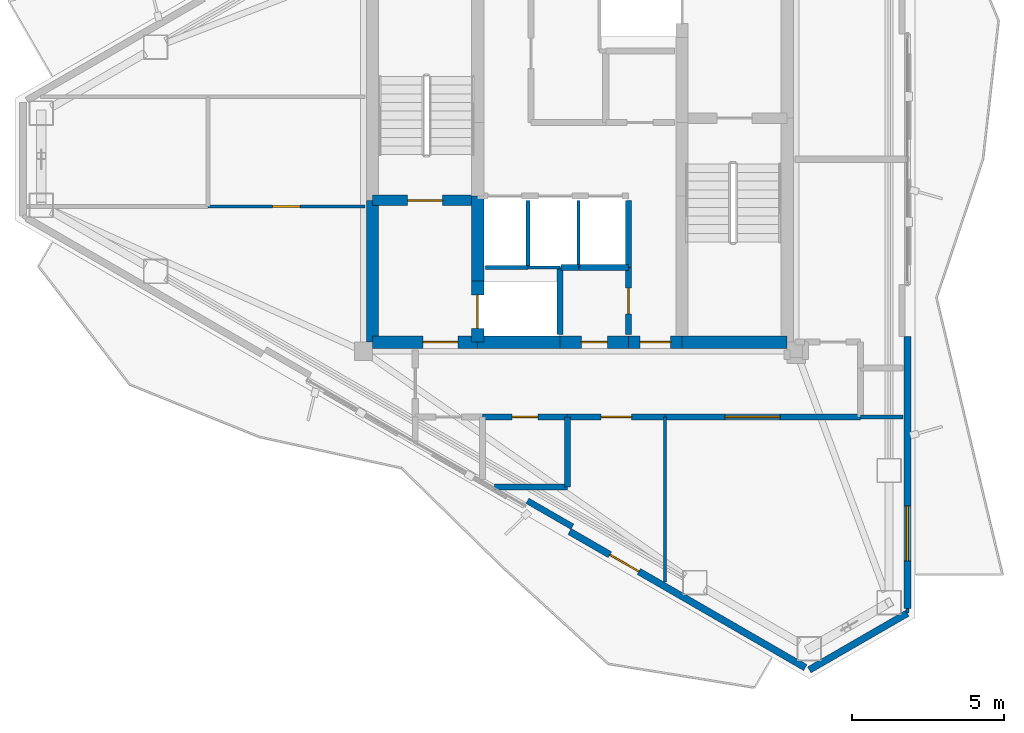
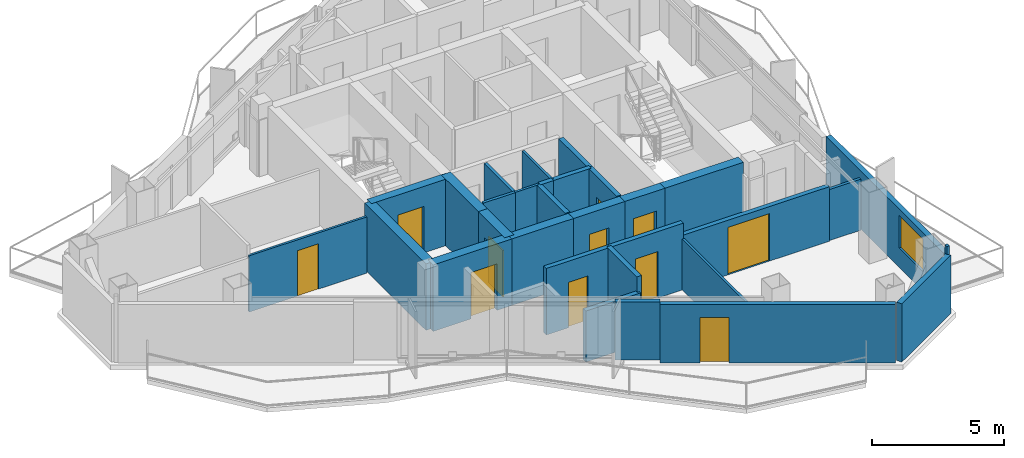
# One storey, part 14 of 18: 31 walls, 11 doors, 1 window, 12 openings.
"""IFC4 building model written with IfcOpenShell, lengths in metres."""

from ifc_helpers import new_model, si_unit, direction, frame, frame_2d, origin, place, context, subcontext, project, spatial, rectangle, extrude, material, layer, layer_set, type_object, element, fill, save


model = new_model("IFC4")

# Units and contexts
model_context = context("Model", 3, precision=1e-05, world=origin(), true_north=direction((0.0, 1.0)))
body_context = subcontext(model_context, "Body", "Model", "MODEL_VIEW")
ifc_project = project(units=[si_unit("LENGTHUNIT", "METRE"), si_unit("AREAUNIT", "SQUARE_METRE"), si_unit("VOLUMEUNIT", "CUBIC_METRE"), si_unit("PLANEANGLEUNIT", "RADIAN"), si_unit("MASSUNIT", "GRAM", prefix="KILO")], contexts=[model_context])

# Site, building, storey
site_placement = place(None, origin())
site = spatial("IfcSite", under=ifc_project, at=site_placement, CompositionType="ELEMENT")
building_placement = place(site_placement, origin())
building = spatial("IfcBuilding", under=site, at=building_placement, Name="Mersakhor Tower and Convention Hall", CompositionType="ELEMENT")
storey_placement = place(building_placement, frame((0.0, 0.0, 236.39990234375)))
storey = spatial("IfcBuildingStorey", under=building, at=storey_placement, Name="L66", CompositionType="ELEMENT", Elevation=236.39990234375)

# Wall
ifc_material_1 = material(Name="Precast concrete C40/50", Category="concrete")
ifc_layer_1 = layer(ifc_material_1, 0.22509765625)
ifc_layer_set_1 = layer_set([ifc_layer_1], Name="Precast concrete C40/50")
wall_type_1 = type_object("IfcWallType", Name="WL-EXT-225", PredefinedType="SOLIDWALL", material=ifc_layer_set_1)
wall_1_placement = place(storey_placement, frame((39.742919921875, 11.858154296875, 0.0), z_axis=(0.0, 0.0, 1.0), x_axis=(-0.866038962515, -0.499976514854, 0.0)))
element("IfcWall", 1, at=wall_1_placement, inside=storey, type_object=wall_type_1, Name="L66 Chamfer Braced Spandrel Wall C2", PredefinedType="SOLIDWALL", context=body_context, shape_type="SweptSolid", body=[
    extrude(rectangle(XDim=3.715576171875, YDim=0.22509765625, at=frame_2d((1.85791015625, 0.0))), origin(), (0.0, 0.0, 1.0), 2.7001953125),
])

# Wall, opening, window
wall_2_placement = place(storey_placement, frame((39.742919921875, 20.93603515625, 0.0), z_axis=(0.0, 0.0, 1.0), x_axis=(0.0, -1.0, 0.0)))
wall_2 = element("IfcWall", 2, at=wall_2_placement, inside=storey, type_object=wall_type_1, Name="L66 Exterior Facade Wall F2-B3", PredefinedType="SOLIDWALL", context=body_context, shape_type="SweptSolid", body=[
    extrude(rectangle(XDim=8.927734375, YDim=0.22509765625, at=frame_2d((4.4638671875, 0.0))), origin(), (0.0, 0.0, 1.0), 2.7001953125),
])
opening_1_placement = place(wall_2_placement, frame((5.56005859375, 0.0, 0.89990234375)))
opening_1 = element("IfcOpeningElement", 3, at=opening_1_placement, cuts=wall_2, Name="Opening W-03", PredefinedType="OPENING", context=body_context, shape_type="SweptSolid", body=[
    extrude(rectangle(XDim=1.800048828125, YDim=1.5, at=frame_2d((0.89990234375, 0.75))), frame((0.0, 0.12255859375, 0.0), z_axis=(0.0, -1.0, 0.0), x_axis=(1.0, 0.0, 0.0)), (0.0, 0.0, 1.0), 0.2451171875),
])
ifc_material_2 = material(Name="Dark solar low-E glazed aluminium window", Category="aluminium")
window_type = type_object("IfcWindowType", Name="WN-RES-180x150", PartitioningType="SINGLE_PANEL", PredefinedType="WINDOW", material=ifc_material_2)
window_placement = place(opening_1_placement, origin())
window = element("IfcWindow", 4, at=window_placement, inside=storey, type_object=window_type, Name="L66 Facade Punched Window F2-B3", OverallHeight=1.5, OverallWidth=1.800048828125, PartitioningType="SINGLE_PANEL", PredefinedType="WINDOW", context=body_context, shape_type="SweptSolid", body=[
    extrude(rectangle(XDim=1.800048828125, YDim=1.5, at=frame_2d((0.89990234375, 0.75))), frame((0.0, 0.030029296875, 0.0), z_axis=(0.0, -1.0, 0.0), x_axis=(1.0, 0.0, 0.0)), (0.0, 0.0, 1.0), 0.06005859375),
])
fill(opening_1, window)

# Wall, opening, door
wall_3_placement = place(storey_placement, frame((36.395263671875, 10.07568359375, 0.0), z_axis=(0.0, 0.0, 1.0), x_axis=(-0.866026655105, 0.499997832642, 0.0)))
wall_3 = element("IfcWall", 5, at=wall_3_placement, inside=storey, type_object=wall_type_1, Name="L66 Exterior Facade Wall F3-B1", PredefinedType="SOLIDWALL", context=body_context, shape_type="SweptSolid", body=[
    extrude(rectangle(XDim=8.927734375, YDim=0.22509765625, at=frame_2d((4.4638671875, 0.0))), origin(), (0.0, 0.0, 1.0), 2.7001953125),
])
opening_2_placement = place(wall_3_placement, frame((6.302001953125, 0.0, 0.0)))
opening_2 = element("IfcOpeningElement", 6, at=opening_2_placement, cuts=wall_3, Name="Opening BD-02", PredefinedType="OPENING", context=body_context, shape_type="SweptSolid", body=[
    extrude(rectangle(XDim=1.10009765625, YDim=2.10009765625, at=frame_2d((0.550048828125, 1.050048828125))), frame((0.0, 0.12255859375, 0.0), z_axis=(0.0, -1.0, 0.0), x_axis=(1.0, 0.0, 0.0)), (0.0, 0.0, 1.0), 0.2451171875),
])
ifc_material_3 = material(Name="Thermally broken dark aluminium and safety glass", Category="aluminium")
door_type_1 = type_object("IfcDoorType", Name="DR-BAL-110x210", OperationType="NOTDEFINED", PredefinedType="DOOR", material=ifc_material_3)
door_1_placement = place(opening_2_placement, origin())
door_1 = element("IfcDoor", 7, at=door_1_placement, inside=storey, type_object=door_type_1, Name="L66 Balcony Terrace Door F3-B1", OperationType="SINGLE_SWING_RIGHT", OverallHeight=2.10009765625, OverallWidth=1.10009765625, PredefinedType="DOOR", context=body_context, shape_type="SweptSolid", body=[
    extrude(rectangle(XDim=1.10009765625, YDim=2.10009765625, at=frame_2d((0.550048828125, 1.050048828125))), frame((0.0, 0.02490234375, 0.0), z_axis=(0.0, -1.0, 0.0), x_axis=(1.0, 0.0, 0.0)), (0.0, 0.0, 1.0), 0.050048828125),
])
fill(opening_2, door_1)

# Walls
ifc_material_4 = material(Name="Precast concrete C40/50", Category="concrete")
ifc_layer_2 = layer(ifc_material_4, 0.199951171875)
ifc_layer_set_2 = layer_set([ifc_layer_2], Name="Precast concrete C40/50")
wall_type_2 = type_object("IfcWallType", Name="WL-PAR-200", PredefinedType="PARAPET", material=ifc_layer_set_2)
wall_4_placement = place(storey_placement, frame((28.753662109375, 14.6953125, 0.0), z_axis=(0.0, 0.0, 1.0), x_axis=(-0.866025371046, 0.500000056704, 0.0)))
element("IfcWall", 8, at=wall_4_placement, inside=storey, type_object=wall_type_2, Name="L66 Column Pier Cladding Wall F3-C1", PredefinedType="PARAPET", context=body_context, shape_type="SweptSolid", body=[
    extrude(rectangle(XDim=1.7001953125, YDim=0.199951171875, at=frame_2d((0.85009765625, 0.0))), origin(), (0.0, 0.0, 1.0), 2.7001953125),
])
ifc_material_5 = material(Name="Lightweight gypsum partition", Category="other")
ifc_layer_3 = layer(ifc_material_5, 0.10009765625)
ifc_layer_set_3 = layer_set([ifc_layer_3], Name="Lightweight gypsum partition")
wall_type_3 = type_object("IfcWallType", Name="WL-PRT-100", PredefinedType="PARTITIONING", material=ifc_layer_set_3)
wall_5_placement = place(storey_placement, frame((27.300048828125, 23.199951171875, 0.0), z_axis=(0.0, 0.0, 1.0), x_axis=(1.0, 0.0, 0.0)))
element("IfcWall", 9, at=wall_5_placement, inside=storey, type_object=wall_type_3, Name="L66 Interior Partition Wall P-002", PredefinedType="PARTITIONING", context=body_context, shape_type="SweptSolid", body=[
    extrude(rectangle(XDim=1.050048828125, YDim=0.10009765625, at=frame_2d((0.52490234375, 0.0))), origin(), (0.0, 0.0, 1.0), 3.080078125),
])
wall_6_placement = place(storey_placement, frame((28.949951171875, 25.39990234375, 0.0), z_axis=(0.0, 0.0, 1.0), x_axis=(0.0, -1.0, 0.0)))
element("IfcWall", 10, at=wall_6_placement, inside=storey, type_object=wall_type_3, Name="L66 Interior Partition Wall P-008", PredefinedType="PARTITIONING", context=body_context, shape_type="SweptSolid", body=[
    extrude(rectangle(XDim=2.199951171875, YDim=0.10009765625, at=frame_2d((1.10009765625, 0.0))), origin(), (0.0, 0.0, 1.0), 3.080078125),
])
wall_7_placement = place(storey_placement, frame((31.800048828125, 12.88623046875, 0.0), z_axis=(0.0, 0.0, 1.0), x_axis=(0.0, 1.0, 0.0)))
element("IfcWall", 11, at=wall_7_placement, inside=storey, type_object=wall_type_3, Name="L66 Interior Partition Wall P-048", PredefinedType="PARTITIONING", context=body_context, shape_type="SweptSolid", body=[
    extrude(rectangle(XDim=5.413818359375, YDim=0.10009765625, at=frame_2d((2.70703125, 0.0))), origin(), (0.0, 0.0, 1.0), 2.364990234375),
])
wall_8_placement = place(storey_placement, frame((39.742919921875, 12.00830078125, 0.0), z_axis=(0.0, 0.0, 1.0), x_axis=(0.0, -1.0, 0.0)))
element("IfcWall", 12, at=wall_8_placement, inside=storey, type_object=wall_type_3, Name="L66 Interior Partition Wall P-050", PredefinedType="PARTITIONING", context=body_context, shape_type="SweptSolid", body=[
    extrude(rectangle(XDim=0.150390625, YDim=0.10009765625, at=frame_2d((0.0751953125, 0.0))), origin(), (0.0, 0.0, 1.0), 3.080078125),
])

# Wall, opening, door
wall_9_placement = place(storey_placement, frame((16.800048828125, 25.199951171875, 0.0), z_axis=(0.0, 0.0, 1.0), x_axis=(1.0, 0.0, 0.0)))
wall_9 = element("IfcWall", 13, at=wall_9_placement, inside=storey, type_object=wall_type_3, Name="L66 Interior Partition Wall P-052", PredefinedType="PARTITIONING", context=body_context, shape_type="SweptSolid", body=[
    extrude(rectangle(XDim=5.14990234375, YDim=0.10009765625, at=frame_2d((2.574951171875, 0.0))), origin(), (0.0, 0.0, 1.0), 2.60498046875),
])
opening_3_placement = place(wall_9_placement, frame((2.125, 0.0, 0.0)))
opening_3 = element("IfcOpeningElement", 14, at=opening_3_placement, cuts=wall_9, Name="Opening WD-01", PredefinedType="OPENING", context=body_context, shape_type="SweptSolid", body=[
    extrude(rectangle(XDim=0.89990234375, YDim=2.10009765625, at=frame_2d((0.449951171875, 1.050048828125))), frame((0.0, 0.06005859375, 0.0), z_axis=(0.0, -1.0, 0.0), x_axis=(1.0, 0.0, 0.0)), (0.0, 0.0, 1.0), 0.1201171875),
])
ifc_material_6 = material(Name="Solid-core hardwood leaf in painted steel frame", Category="steel")
door_type_2 = type_object("IfcDoorType", Name="DR-INT-WET-090x210", OperationType="NOTDEFINED", PredefinedType="DOOR", material=ifc_material_6)
door_2_placement = place(opening_3_placement, origin())
door_2 = element("IfcDoor", 15, at=door_2_placement, inside=storey, type_object=door_type_2, Name="L66 L66 West Quiet Focus Room to L66 Floor Shared Tea Pantry 3-3 Door", OperationType="SINGLE_SWING_RIGHT", OverallHeight=2.10009765625, OverallWidth=0.89990234375, PredefinedType="DOOR", context=body_context, shape_type="SweptSolid", body=[
    extrude(rectangle(XDim=0.89990234375, YDim=2.10009765625, at=frame_2d((0.449951171875, 1.050048828125))), frame((0.0, 0.02490234375, 0.0), z_axis=(0.0, -1.0, 0.0), x_axis=(1.0, 0.0, 0.0)), (0.0, 0.0, 1.0), 0.050048828125),
])
fill(opening_3, door_2)

# Walls
ifc_material_7 = material(Name="Gypsum board acoustic partition", Category="other")
ifc_layer_4 = layer(ifc_material_7, 0.125)
ifc_layer_set_4 = layer_set([ifc_layer_4], Name="Gypsum board acoustic partition")
wall_type_4 = type_object("IfcWallType", Name="WL-PRT-125", PredefinedType="PARTITIONING", material=ifc_layer_set_4)
wall_10_placement = place(storey_placement, frame((25.89990234375, 23.199951171875, 0.0), z_axis=(0.0, 0.0, 1.0), x_axis=(1.0, 0.0, 0.0)))
element("IfcWall", 16, at=wall_10_placement, inside=storey, type_object=wall_type_4, Name="L66 Interior Partition Wall P-001", PredefinedType="PARTITIONING", context=body_context, shape_type="SweptSolid", body=[
    extrude(rectangle(XDim=1.400146484375, YDim=0.125, at=frame_2d((0.7001953125, 0.0))), origin(), (0.0, 0.0, 1.0), 3.080078125),
])
wall_11_placement = place(storey_placement, frame((27.300048828125, 25.39990234375, 0.0), z_axis=(0.0, 0.0, 1.0), x_axis=(0.0, -1.0, 0.0)))
element("IfcWall", 17, at=wall_11_placement, inside=storey, type_object=wall_type_4, Name="L66 Interior Partition Wall P-007", PredefinedType="PARTITIONING", context=body_context, shape_type="SweptSolid", body=[
    extrude(rectangle(XDim=2.199951171875, YDim=0.125, at=frame_2d((1.10009765625, 0.0))), origin(), (0.0, 0.0, 1.0), 3.080078125),
])
wall_12_placement = place(storey_placement, frame((38.199951171875, 18.300048828125, 0.0), z_axis=(0.0, 0.0, 1.0), x_axis=(1.0, 0.0, 0.0)))
element("IfcWall", 18, at=wall_12_placement, inside=storey, type_object=wall_type_4, Name="L66 Interior Partition Wall P-049", PredefinedType="PARTITIONING", context=body_context, shape_type="SweptSolid", body=[
    extrude(rectangle(XDim=1.40625, YDim=0.125, at=frame_2d((0.703125, 0.0))), origin(), (0.0, 0.0, 1.0), 2.364990234375),
])
ifc_material_8 = material(Name="Acoustic concrete blockwork and gypsum board", Category="masonry")
ifc_layer_5 = layer(ifc_material_8, 0.199951171875)
ifc_layer_set_5 = layer_set([ifc_layer_5], Name="Acoustic concrete blockwork and gypsum board")
wall_type_5 = type_object("IfcWallType", Name="WL-PRT-200", PredefinedType="PARTITIONING", material=ifc_layer_set_5)
wall_13_placement = place(storey_placement, frame((28.35009765625, 23.199951171875, 0.0), z_axis=(0.0, 0.0, 1.0), x_axis=(0.0, -1.0, 0.0)))
element("IfcWall", 19, at=wall_13_placement, inside=storey, type_object=wall_type_5, Name="L66 Interior Partition Wall P-003", PredefinedType="PARTITIONING", context=body_context, shape_type="SweptSolid", body=[
    extrude(rectangle(XDim=2.199951171875, YDim=0.199951171875, at=frame_2d((1.10009765625, 0.0))), origin(), (0.0, 0.0, 1.0), 3.080078125),
])
wall_14_placement = place(storey_placement, frame((28.949951171875, 23.199951171875, 0.0), z_axis=(0.0, 0.0, 1.0), x_axis=(-1.0, 0.0, 0.0)))
element("IfcWall", 20, at=wall_14_placement, inside=storey, type_object=wall_type_5, Name="L66 Interior Partition Wall P-009", PredefinedType="PARTITIONING", context=body_context, shape_type="SweptSolid", body=[
    extrude(rectangle(XDim=0.570068359375, YDim=0.199951171875, at=frame_2d((0.28515625, 0.0))), origin(), (0.0, 0.0, 1.0), 3.080078125),
])
wall_15_placement = place(storey_placement, frame((30.60009765625, 25.39990234375, 0.0), z_axis=(0.0, 0.0, 1.0), x_axis=(0.0, -1.0, 0.0)))
element("IfcWall", 21, at=wall_15_placement, inside=storey, type_object=wall_type_5, Name="L66 Interior Partition Wall P-010", PredefinedType="PARTITIONING", context=body_context, shape_type="SweptSolid", body=[
    extrude(rectangle(XDim=2.199951171875, YDim=0.199951171875, at=frame_2d((1.10009765625, 0.0))), origin(), (0.0, 0.0, 1.0), 3.080078125),
])
wall_16_placement = place(storey_placement, frame((30.60009765625, 23.199951171875, 0.0), z_axis=(0.0, 0.0, 1.0), x_axis=(-1.0, 0.0, 0.0)))
element("IfcWall", 22, at=wall_16_placement, inside=storey, type_object=wall_type_5, Name="L66 Interior Partition Wall P-011", PredefinedType="PARTITIONING", context=body_context, shape_type="SweptSolid", body=[
    extrude(rectangle(XDim=1.650146484375, YDim=0.199951171875, at=frame_2d((0.8251953125, 0.0))), origin(), (0.0, 0.0, 1.0), 3.080078125),
])

# Wall, opening, door
wall_17_placement = place(storey_placement, frame((30.60009765625, 21.0, 0.0), z_axis=(0.0, 0.0, 1.0), x_axis=(0.0, 1.0, 0.0)))
wall_17 = element("IfcWall", 23, at=wall_17_placement, inside=storey, type_object=wall_type_5, Name="L66 Interior Partition Wall P-012", PredefinedType="PARTITIONING", context=body_context, shape_type="SweptSolid", body=[
    extrude(rectangle(XDim=2.199951171875, YDim=0.199951171875, at=frame_2d((1.10009765625, 0.0))), origin(), (0.0, 0.0, 1.0), 3.080078125),
])
opening_4_placement = place(wall_17_placement, frame((0.675048828125, 0.0, 0.0)))
opening_4 = element("IfcOpeningElement", 24, at=opening_4_placement, cuts=wall_17, Name="Opening SVD-01", PredefinedType="OPENING", context=body_context, shape_type="SweptSolid", body=[
    extrude(rectangle(XDim=0.85009765625, YDim=2.10009765625, at=frame_2d((0.425048828125, 1.050048828125))), frame((0.0, 0.10986328125, 0.0), z_axis=(0.0, -1.0, 0.0), x_axis=(1.0, 0.0, 0.0)), (0.0, 0.0, 1.0), 0.219970703125),
])
ifc_material_9 = material(Name="Fire-rated hardwood leaf and painted steel frame", Category="steel")
door_type_3 = type_object("IfcDoorType", Name="DR-INT-SVC-085x210", OperationType="NOTDEFINED", PredefinedType="DOOR", material=ifc_material_9)
door_3_placement = place(opening_4_placement, origin())
door_3 = element("IfcDoor", 25, at=door_3_placement, inside=storey, type_object=door_type_3, Name="L66 Central Passenger Lift Lobby to Electrical Switchroom Door", OperationType="SINGLE_SWING_RIGHT", OverallHeight=2.10009765625, OverallWidth=0.85009765625, PredefinedType="DOOR", context=body_context, shape_type="SweptSolid", body=[
    extrude(rectangle(XDim=0.85009765625, YDim=2.10009765625, at=frame_2d((0.425048828125, 1.050048828125))), frame((0.0, 0.02490234375, 0.0), z_axis=(0.0, -1.0, 0.0), x_axis=(1.0, 0.0, 0.0)), (0.0, 0.0, 1.0), 0.050048828125),
])
fill(opening_4, door_3)

wall_18_placement = place(storey_placement, frame((38.199951171875, 18.300048828125, 0.0), z_axis=(0.0, 0.0, 1.0), x_axis=(-1.0, 0.0, 0.0)))
wall_18 = element("IfcWall", 26, at=wall_18_placement, inside=storey, type_object=wall_type_5, Name="L66 Interior Partition Wall P-032", PredefinedType="PARTITIONING", context=body_context, shape_type="SweptSolid", body=[
    extrude(rectangle(XDim=6.39990234375, YDim=0.199951171875, at=frame_2d((3.199951171875, 0.0))), origin(), (0.0, 0.0, 1.0), 2.5283203125),
])
opening_5_placement = place(wall_18_placement, frame((2.633056640625, 0.0, 0.0)))
opening_5 = element("IfcOpeningElement", 27, at=opening_5_placement, cuts=wall_18, Name="Opening HD-01", PredefinedType="OPENING", context=body_context, shape_type="SweptSolid", body=[
    extrude(rectangle(XDim=1.800048828125, YDim=2.199951171875, at=frame_2d((0.89990234375, 1.10009765625))), frame((0.0, 0.10986328125, 0.0), z_axis=(0.0, -1.0, 0.0), x_axis=(1.0, 0.0, 0.0)), (0.0, 0.0, 1.0), 0.219970703125),
])
ifc_material_10 = material(Name="Fire-rated hardwood leaf and painted steel frame", Category="steel")
door_type_4 = type_object("IfcDoorType", Name="DR-INT-HALL-180x220", OperationType="NOTDEFINED", PredefinedType="DOOR", material=ifc_material_10)
door_4_placement = place(opening_5_placement, origin())
door_4 = element("IfcDoor", 28, at=door_4_placement, inside=storey, type_object=door_type_4, Name="L66 Residential South Gallery Corridor to L66 South-East Residents Meeting Room Door", OperationType="DOUBLE_DOOR_SINGLE_SWING", OverallHeight=2.199951171875, OverallWidth=1.800048828125, PredefinedType="DOOR", context=body_context, shape_type="SweptSolid", body=[
    extrude(rectangle(XDim=1.800048828125, YDim=2.199951171875, at=frame_2d((0.89990234375, 1.10009765625))), frame((0.0, 0.02490234375, 0.0), z_axis=(0.0, -1.0, 0.0), x_axis=(1.0, 0.0, 0.0)), (0.0, 0.0, 1.0), 0.050048828125),
])
fill(opening_5, door_4)

wall_19_placement = place(storey_placement, frame((31.800048828125, 18.300048828125, 0.0), z_axis=(0.0, 0.0, 1.0), x_axis=(-1.0, 0.0, 0.0)))
wall_19 = element("IfcWall", 29, at=wall_19_placement, inside=storey, type_object=wall_type_5, Name="L66 Interior Partition Wall P-033", PredefinedType="PARTITIONING", context=body_context, shape_type="SweptSolid", body=[
    extrude(rectangle(XDim=3.199951171875, YDim=0.199951171875, at=frame_2d((1.60009765625, 0.0))), origin(), (0.0, 0.0, 1.0), 3.080078125),
])
opening_6_placement = place(wall_19_placement, frame((1.10009765625, 0.0, 0.0)))
opening_6 = element("IfcOpeningElement", 30, at=opening_6_placement, cuts=wall_19, Name="Opening FD-01", PredefinedType="OPENING", context=body_context, shape_type="SweptSolid", body=[
    extrude(rectangle(XDim=1.0, YDim=2.14990234375, at=frame_2d((0.5, 1.074951171875))), frame((0.0, 0.10986328125, 0.0), z_axis=(0.0, -1.0, 0.0), x_axis=(1.0, 0.0, 0.0)), (0.0, 0.0, 1.0), 0.219970703125),
])
ifc_material_11 = material(Name="Fire-rated hardwood leaf and painted steel frame", Category="steel")
door_type_5 = type_object("IfcDoorType", Name="DR-INT-FLT-100x215", OperationType="NOTDEFINED", PredefinedType="DOOR", material=ifc_material_11)
door_5_placement = place(opening_6_placement, origin())
door_5 = element("IfcDoor", 31, at=door_5_placement, inside=storey, type_object=door_type_5, Name="L66 Residential South Gallery Corridor to L66 Floor Shared Tea Pantry 2-3 Door", OperationType="SINGLE_SWING_RIGHT", OverallHeight=2.14990234375, OverallWidth=1.0, PredefinedType="DOOR", context=body_context, shape_type="SweptSolid", body=[
    extrude(rectangle(XDim=1.0, YDim=2.14990234375, at=frame_2d((0.5, 1.074951171875))), frame((0.0, 0.02490234375, 0.0), z_axis=(0.0, -1.0, 0.0), x_axis=(1.0, 0.0, 0.0)), (0.0, 0.0, 1.0), 0.050048828125),
])
fill(opening_6, door_5)

wall_20_placement = place(storey_placement, frame((28.60009765625, 18.300048828125, 0.0), z_axis=(0.0, 0.0, 1.0), x_axis=(-1.0, 0.0, 0.0)))
wall_20 = element("IfcWall", 32, at=wall_20_placement, inside=storey, type_object=wall_type_5, Name="L66 Interior Partition Wall P-034", PredefinedType="PARTITIONING", context=body_context, shape_type="SweptSolid", body=[
    extrude(rectangle(XDim=2.800048828125, YDim=0.199951171875, at=frame_2d((1.39990234375, 0.0))), origin(), (0.0, 0.0, 1.0), 3.080078125),
])
opening_7_placement = place(wall_20_placement, frame((0.97509765625, 0.0, 0.0)))
opening_7 = element("IfcOpeningElement", 33, at=opening_7_placement, cuts=wall_20, Name="Opening SVD-01", PredefinedType="OPENING", context=body_context, shape_type="SweptSolid", body=[
    extrude(rectangle(XDim=0.85009765625, YDim=2.10009765625, at=frame_2d((0.425048828125, 1.050048828125))), frame((0.0, 0.10986328125, 0.0), z_axis=(0.0, -1.0, 0.0), x_axis=(1.0, 0.0, 0.0)), (0.0, 0.0, 1.0), 0.219970703125),
])
door_6_placement = place(opening_7_placement, origin())
door_6 = element("IfcDoor", 34, at=door_6_placement, inside=storey, type_object=door_type_3, Name="L66 Residential South Gallery Corridor to L66 Floor Household Store Room 2-2 Door", OperationType="SINGLE_SWING_LEFT", OverallHeight=2.10009765625, OverallWidth=0.85009765625, PredefinedType="DOOR", context=body_context, shape_type="SweptSolid", body=[
    extrude(rectangle(XDim=0.85009765625, YDim=2.10009765625, at=frame_2d((0.425048828125, 1.050048828125))), frame((0.0, 0.02490234375, 0.0), z_axis=(0.0, -1.0, 0.0), x_axis=(1.0, 0.0, 0.0)), (0.0, 0.0, 1.0), 0.050048828125),
])
fill(opening_7, door_6)

# Walls
wall_21_placement = place(storey_placement, frame((28.60009765625, 18.300048828125, 0.0), z_axis=(0.0, 0.0, 1.0), x_axis=(0.0, -1.0, 0.0)))
element("IfcWall", 35, at=wall_21_placement, inside=storey, type_object=wall_type_5, Name="L66 Interior Partition Wall P-061", PredefinedType="PARTITIONING", context=body_context, shape_type="SweptSolid", body=[
    extrude(rectangle(XDim=2.300048828125, YDim=0.199951171875, at=frame_2d((1.14990234375, 0.0))), origin(), (0.0, 0.0, 1.0), 3.080078125),
])
wall_22_placement = place(storey_placement, frame((28.60009765625, 16.0, 0.0), z_axis=(0.0, 0.0, 1.0), x_axis=(-1.0, 0.0, 0.0)))
element("IfcWall", 36, at=wall_22_placement, inside=storey, type_object=wall_type_5, Name="L66 Interior Partition Wall P-062", PredefinedType="PARTITIONING", context=body_context, shape_type="SweptSolid", body=[
    extrude(rectangle(XDim=2.3935546875, YDim=0.199951171875, at=frame_2d((1.19677734375, 0.0))), origin(), (0.0, 0.0, 1.0), 2.364990234375),
])

# Wall, opening, door
ifc_material_12 = material(Name="Concrete C50/60", Category="concrete")
ifc_layer_6 = layer(ifc_material_12, 0.35009765625)
ifc_layer_set_6 = layer_set([ifc_layer_6], Name="Concrete C50/60")
wall_type_6 = type_object("IfcWallType", Name="WL-SHR-350", PredefinedType="SHEAR", material=ifc_layer_set_6)
wall_23_placement = place(storey_placement, frame((22.199951171875, 25.39990234375, 0.0), z_axis=(0.0, 0.0, 1.0), x_axis=(1.0, 0.0, 0.0)))
wall_23 = element("IfcWall", 37, at=wall_23_placement, inside=storey, type_object=wall_type_6, Name="L66 Core Wall CS-ST1-S", PredefinedType="SHEAR", context=body_context, shape_type="SweptSolid", body=[
    extrude(rectangle(XDim=3.449951171875, YDim=0.35009765625, at=frame_2d((1.72509765625, 0.0))), origin(), (0.0, 0.0, 1.0), 3.080078125),
])
opening_8_placement = place(wall_23_placement, frame((1.14990234375, 0.0, 0.0)))
opening_8 = element("IfcOpeningElement", 38, at=opening_8_placement, cuts=wall_23, Name="Opening SD-01", PredefinedType="OPENING", context=body_context, shape_type="SweptSolid", body=[
    extrude(rectangle(XDim=1.14990234375, YDim=2.14990234375, at=frame_2d((0.574951171875, 1.074951171875))), frame((0.0, 0.18505859375, 0.0), z_axis=(0.0, -1.0, 0.0), x_axis=(1.0, 0.0, 0.0)), (0.0, 0.0, 1.0), 0.3701171875),
])
ifc_material_13 = material(Name="Fire-rated hardwood leaf and painted steel frame", Category="steel")
door_type_6 = type_object("IfcDoorType", Name="DR-INT-STAIR-115x215", OperationType="NOTDEFINED", PredefinedType="DOOR", material=ifc_material_13)
door_7_placement = place(opening_8_placement, origin())
door_7 = element("IfcDoor", 39, at=door_7_placement, inside=storey, type_object=door_type_6, Name="L66 Exit Stair ST-1 Enclosure Door", OperationType="SINGLE_SWING_LEFT", OverallHeight=2.14990234375, OverallWidth=1.14990234375, PredefinedType="DOOR", context=body_context, shape_type="SweptSolid", body=[
    extrude(rectangle(XDim=1.14990234375, YDim=2.14990234375, at=frame_2d((0.574951171875, 1.074951171875))), frame((0.0, 0.02490234375, 0.0), z_axis=(0.0, -1.0, 0.0), x_axis=(1.0, 0.0, 0.0)), (0.0, 0.0, 1.0), 0.050048828125),
])
fill(opening_8, door_7)

# Walls
ifc_material_14 = material(Name="Concrete C60/75", Category="concrete")
ifc_layer_7 = layer(ifc_material_14, 0.39990234375)
ifc_layer_set_7 = layer_set([ifc_layer_7], Name="Concrete C60/75")
wall_type_7 = type_object("IfcWallType", Name="WL-SHR-400", PredefinedType="SHEAR", material=ifc_layer_set_7)
wall_24_placement = place(storey_placement, frame((22.199951171875, 20.75, 0.0), z_axis=(0.0, 0.0, 1.0), x_axis=(0.0, 1.0, 0.0)))
element("IfcWall", 40, at=wall_24_placement, inside=storey, type_object=wall_type_7, Name="L66 Core Wall CW-W1", PredefinedType="SHEAR", context=body_context, shape_type="SweptSolid", body=[
    extrude(rectangle(XDim=4.64990234375, YDim=0.39990234375, at=frame_2d((2.324951171875, 0.0))), origin(), (0.0, 0.0, 1.0), 3.080078125),
])
wall_25_placement = place(storey_placement, frame((35.800048828125, 20.75, 0.0), z_axis=(0.0, 0.0, 1.0), x_axis=(-1.0, 0.0, 0.0)))
element("IfcWall", 41, at=wall_25_placement, inside=storey, type_object=wall_type_7, Name="L66 Core Wall CW-S1", PredefinedType="SHEAR", context=body_context, shape_type="SweptSolid", body=[
    extrude(rectangle(XDim=3.449951171875, YDim=0.39990234375, at=frame_2d((1.72509765625, 0.0))), origin(), (0.0, 0.0, 1.0), 3.080078125),
])

# Wall, opening, door
wall_26_placement = place(storey_placement, frame((32.35009765625, 20.75, 0.0), z_axis=(0.0, 0.0, 1.0), x_axis=(-1.0, 0.0, 0.0)))
wall_26 = element("IfcWall", 42, at=wall_26_placement, inside=storey, type_object=wall_type_7, Name="L66 Core Wall CW-S2A", PredefinedType="SHEAR", context=body_context, shape_type="SweptSolid", body=[
    extrude(rectangle(XDim=1.75, YDim=0.39990234375, at=frame_2d((0.875, 0.0))), origin(), (0.0, 0.0, 1.0), 3.080078125),
])
opening_9_placement = place(wall_26_placement, frame((0.375, 0.0, 0.0)))
opening_9 = element("IfcOpeningElement", 43, at=opening_9_placement, cuts=wall_26, Name="Opening CFD-01", PredefinedType="OPENING", context=body_context, shape_type="SweptSolid", body=[
    extrude(rectangle(XDim=1.0, YDim=2.14990234375, at=frame_2d((0.5, 1.074951171875))), frame((0.0, 0.2099609375, 0.0), z_axis=(0.0, -1.0, 0.0), x_axis=(1.0, 0.0, 0.0)), (0.0, 0.0, 1.0), 0.419921875),
])
ifc_material_15 = material(Name="Fire-rated hardwood leaf and painted steel frame", Category="steel")
door_type_7 = type_object("IfcDoorType", Name="DR-CORE-FD-100x215", OperationType="NOTDEFINED", PredefinedType="DOOR", material=ifc_material_15)
door_8_placement = place(opening_9_placement, origin())
door_8 = element("IfcDoor", 44, at=door_8_placement, inside=storey, type_object=door_type_7, Name="L66 Lift Lobby South Corridor Door", OperationType="SINGLE_SWING_RIGHT", OverallHeight=2.14990234375, OverallWidth=1.0, PredefinedType="DOOR", context=body_context, shape_type="SweptSolid", body=[
    extrude(rectangle(XDim=1.0, YDim=2.14990234375, at=frame_2d((0.5, 1.074951171875))), frame((0.0, 0.02490234375, 0.0), z_axis=(0.0, -1.0, 0.0), x_axis=(1.0, 0.0, 0.0)), (0.0, 0.0, 1.0), 0.050048828125),
])
fill(opening_9, door_8)

wall_27_placement = place(storey_placement, frame((30.60009765625, 20.75, 0.0), z_axis=(0.0, 0.0, 1.0), x_axis=(-1.0, 0.0, 0.0)))
wall_27 = element("IfcWall", 45, at=wall_27_placement, inside=storey, type_object=wall_type_7, Name="L66 Core Wall CW-S2B", PredefinedType="SHEAR", context=body_context, shape_type="SweptSolid", body=[
    extrude(rectangle(XDim=2.25, YDim=0.39990234375, at=frame_2d((1.125, 0.0))), origin(), (0.0, 0.0, 1.0), 3.080078125),
])
opening_10_placement = place(wall_27_placement, frame((0.699951171875, 0.0, 0.0)))
opening_10 = element("IfcOpeningElement", 46, at=opening_10_placement, cuts=wall_27, Name="Opening SVD-01", PredefinedType="OPENING", context=body_context, shape_type="SweptSolid", body=[
    extrude(rectangle(XDim=0.85009765625, YDim=2.10009765625, at=frame_2d((0.425048828125, 1.050048828125))), frame((0.0, 0.2099609375, 0.0), z_axis=(0.0, -1.0, 0.0), x_axis=(1.0, 0.0, 0.0)), (0.0, 0.0, 1.0), 0.419921875),
])
door_9_placement = place(opening_10_placement, origin())
door_9 = element("IfcDoor", 47, at=door_9_placement, inside=storey, type_object=door_type_3, Name="L66 Residential South Gallery Corridor to Electrical Switchroom Door", OperationType="SINGLE_SWING_LEFT", OverallHeight=2.10009765625, OverallWidth=0.85009765625, PredefinedType="DOOR", context=body_context, shape_type="SweptSolid", body=[
    extrude(rectangle(XDim=0.85009765625, YDim=2.10009765625, at=frame_2d((0.425048828125, 1.050048828125))), frame((0.0, 0.02490234375, 0.0), z_axis=(0.0, -1.0, 0.0), x_axis=(1.0, 0.0, 0.0)), (0.0, 0.0, 1.0), 0.050048828125),
])
fill(opening_10, door_9)

# Wall
wall_28_placement = place(storey_placement, frame((28.35009765625, 20.75, 0.0), z_axis=(0.0, 0.0, 1.0), x_axis=(-1.0, 0.0, 0.0)))
element("IfcWall", 48, at=wall_28_placement, inside=storey, type_object=wall_type_7, Name="L66 Core Wall CW-S3", PredefinedType="SHEAR", context=body_context, shape_type="SweptSolid", body=[
    extrude(rectangle(XDim=2.7001953125, YDim=0.39990234375, at=frame_2d((1.35009765625, 0.0))), origin(), (0.0, 0.0, 1.0), 3.080078125),
])

# Wall, opening, door
wall_29_placement = place(storey_placement, frame((25.64990234375, 20.75, 0.0), z_axis=(0.0, 0.0, 1.0), x_axis=(-1.0, 0.0, 0.0)))
wall_29 = element("IfcWall", 49, at=wall_29_placement, inside=storey, type_object=wall_type_7, Name="L66 Core Wall CW-S4", PredefinedType="SHEAR", context=body_context, shape_type="SweptSolid", body=[
    extrude(rectangle(XDim=3.449951171875, YDim=0.39990234375, at=frame_2d((1.72509765625, 0.0))), origin(), (0.0, 0.0, 1.0), 3.080078125),
])
opening_11_placement = place(wall_29_placement, frame((0.64990234375, 0.0, 0.0)))
opening_11 = element("IfcOpeningElement", 50, at=opening_11_placement, cuts=wall_29, Name="Opening SD-01", PredefinedType="OPENING", context=body_context, shape_type="SweptSolid", body=[
    extrude(rectangle(XDim=1.14990234375, YDim=2.14990234375, at=frame_2d((0.574951171875, 1.074951171875))), frame((0.0, 0.2099609375, 0.0), z_axis=(0.0, -1.0, 0.0), x_axis=(1.0, 0.0, 0.0)), (0.0, 0.0, 1.0), 0.419921875),
])
door_10_placement = place(opening_11_placement, origin())
door_10 = element("IfcDoor", 51, at=door_10_placement, inside=storey, type_object=door_type_6, Name="L66 Firefighting Lobby West Fire Door", OperationType="SINGLE_SWING_LEFT", OverallHeight=2.14990234375, OverallWidth=1.14990234375, PredefinedType="DOOR", context=body_context, shape_type="SweptSolid", body=[
    extrude(rectangle(XDim=1.14990234375, YDim=2.14990234375, at=frame_2d((0.574951171875, 1.074951171875))), frame((0.0, 0.02490234375, 0.0), z_axis=(0.0, -1.0, 0.0), x_axis=(1.0, 0.0, 0.0)), (0.0, 0.0, 1.0), 0.050048828125),
])
fill(opening_11, door_10)

wall_30_placement = place(storey_placement, frame((25.64990234375, 20.75, 0.0), z_axis=(0.0, 0.0, 1.0), x_axis=(0.0, 1.0, 0.0)))
wall_30 = element("IfcWall", 52, at=wall_30_placement, inside=storey, type_object=wall_type_7, Name="L66 Core Wall CS-W-FFL", PredefinedType="SHEAR", context=body_context, shape_type="SweptSolid", body=[
    extrude(rectangle(XDim=2.0, YDim=0.39990234375, at=frame_2d((1.0, 0.0))), origin(), (0.0, 0.0, 1.0), 3.080078125),
])
opening_12_placement = place(wall_30_placement, frame((0.449951171875, 0.0, 0.0)))
opening_12 = element("IfcOpeningElement", 53, at=opening_12_placement, cuts=wall_30, Name="Opening LD-FFL1", PredefinedType="OPENING", context=body_context, shape_type="SweptSolid", body=[
    extrude(rectangle(XDim=1.10009765625, YDim=2.14990234375, at=frame_2d((0.550048828125, 1.074951171875))), frame((0.0, 0.2099609375, 0.0), z_axis=(0.0, -1.0, 0.0), x_axis=(1.0, 0.0, 0.0)), (0.0, 0.0, 1.0), 0.419921875),
])
ifc_material_16 = material(Name="Fire-rated brushed stainless steel sliding landing door", Category="steel")
door_type_8 = type_object("IfcDoorType", Name="DR-LIFT-SLD-110x215", OperationType="NOTDEFINED", PredefinedType="DOOR", material=ifc_material_16)
door_11_placement = place(opening_12_placement, origin())
door_11 = element("IfcDoor", 54, at=door_11_placement, inside=storey, type_object=door_type_8, Name="L66 Firefighting Lift Landing Door LD-FFL1", OperationType="SLIDING_TO_LEFT", OverallHeight=2.14990234375, OverallWidth=1.10009765625, PredefinedType="DOOR", context=body_context, shape_type="SweptSolid", body=[
    extrude(rectangle(XDim=1.10009765625, YDim=2.14990234375, at=frame_2d((0.550048828125, 1.074951171875))), frame((0.0, 0.02490234375, 0.0), z_axis=(0.0, -1.0, 0.0), x_axis=(1.0, 0.0, 0.0)), (0.0, 0.0, 1.0), 0.050048828125),
])
fill(opening_12, door_11)

# Wall
wall_31_placement = place(storey_placement, frame((25.64990234375, 22.75, 0.0), z_axis=(0.0, 0.0, 1.0), x_axis=(0.0, 1.0, 0.0)))
element("IfcWall", 55, at=wall_31_placement, inside=storey, type_object=wall_type_7, Name="L66 Core Wall CS-W-MID", PredefinedType="SHEAR", context=body_context, shape_type="SweptSolid", body=[
    extrude(rectangle(XDim=2.800048828125, YDim=0.39990234375, at=frame_2d((1.39990234375, 0.0))), origin(), (0.0, 0.0, 1.0), 3.080078125),
])

save(model, "model.ifc")
